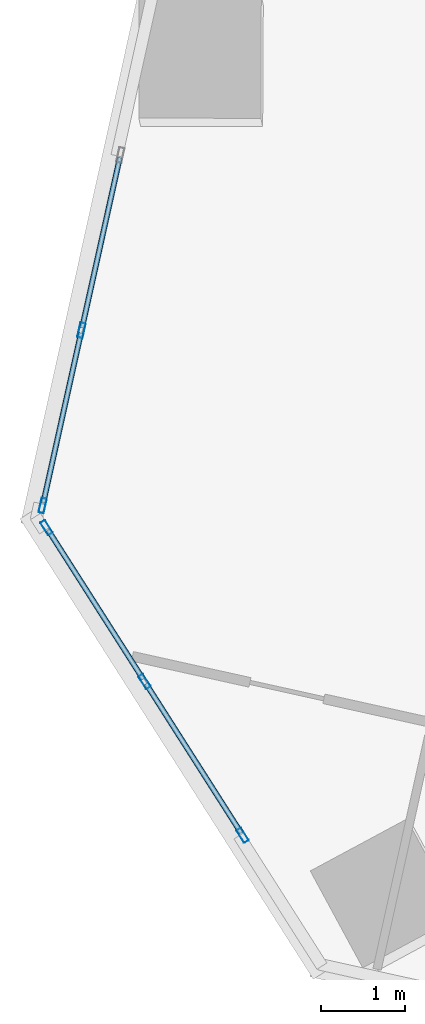
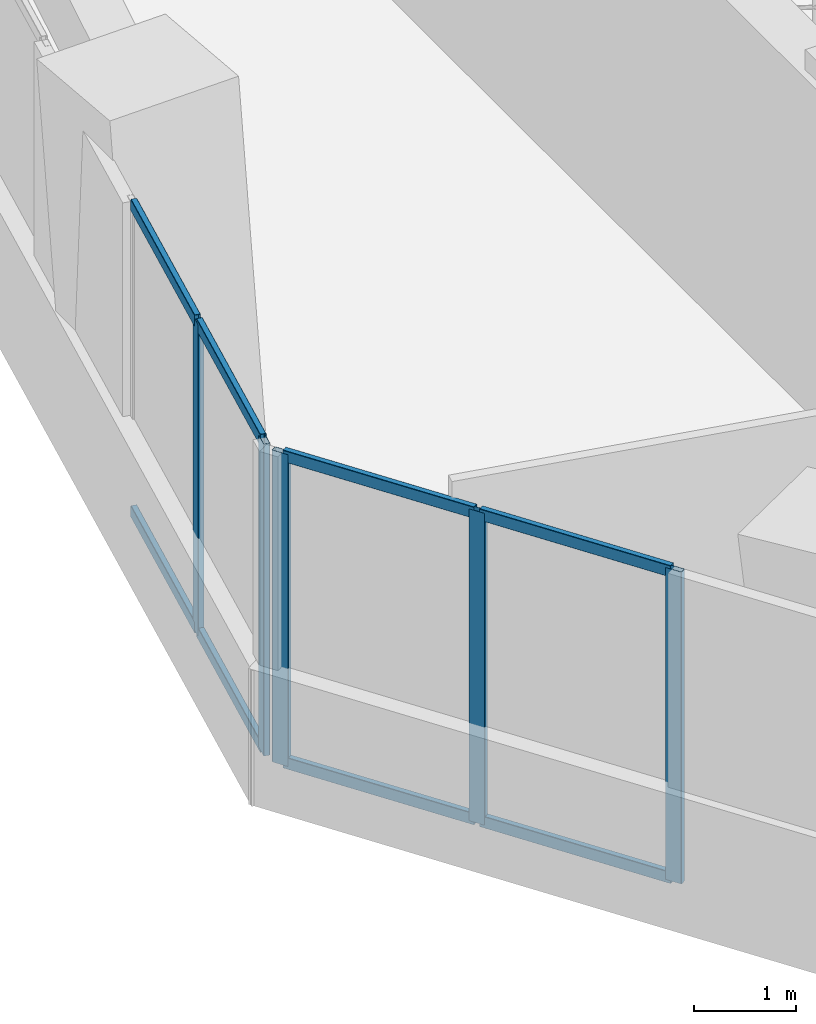
# One storey, part 3 of 25: 13 members, 2 elements without a shape of their own.
"""IFC4 building model written with IfcOpenShell, lengths in metres."""

from ifc_helpers import new_model, si_unit, direction, frame, origin, origin_2d, place, context, subcontext, project, spatial, hollow_rectangle, extrude, source, transform, mapped, material, material_profile, profile_set, type_object, element, aggregate, save


model = new_model("IFC4")

# Units and contexts
model_context = context("Model", 3, precision=1e-05, world=origin(), true_north=direction((0.0, 1.0)))
body_context = subcontext(model_context, "Body", "Model", "MODEL_VIEW")
ifc_project = project(units=[si_unit("LENGTHUNIT", "METRE"), si_unit("AREAUNIT", "SQUARE_METRE"), si_unit("VOLUMEUNIT", "CUBIC_METRE"), si_unit("PLANEANGLEUNIT", "RADIAN"), si_unit("MASSUNIT", "GRAM", prefix="KILO")], contexts=[model_context])

# Site, building, storey
site_placement = place(None, origin())
site = spatial("IfcSite", under=ifc_project, at=site_placement, CompositionType="ELEMENT")
building_placement = place(site_placement, origin())
building = spatial("IfcBuilding", under=site, at=building_placement, Name="Torre Montelarca", CompositionType="ELEMENT")
storey_placement = place(building_placement, frame((0.0, 0.0, 91.60009765625)))
storey = spatial("IfcBuildingStorey", under=building, at=storey_placement, Name="L20", CompositionType="ELEMENT", Elevation=91.60009765625)

# Curtain wall, members
ifc_material_1 = material(Name="Insulated low-E laminated glass", Category="glass")
curtain_wall_type = type_object("IfcCurtainWallType", Name="CW-SYS-Z1", PredefinedType="USERDEFINED", material=ifc_material_1)
curtain_wall_1_placement = place(storey_placement, origin())
curtain_wall_1 = element("IfcCurtainWall", 1, at=curtain_wall_1_placement, inside=storey, type_object=curtain_wall_type, Name="L20 Curtain Wall Run CW-T3-L20-E10-B3", ObjectType="UNITISED GLAZING", PredefinedType="USERDEFINED")
ifc_material_2 = material(Name="Anodised aluminium AA 6063-T6", Category="aluminium")
ifc_material_profile_1 = material_profile(ifc_material_2, hollow_rectangle(XDim=0.06494140625, YDim=0.139892578125, WallThickness=0.00390625, InnerFilletRadius=0.00390625, OuterFilletRadius=0.008056640625, at=origin_2d()), Name="ALU65X140X4", Category="aluminium")
ifc_profile_set_1 = profile_set([ifc_material_profile_1], Name="Anodised aluminium AA 6063-T6")
member_type_1 = type_object("IfcMemberType", Name="CWT-ALU140", PredefinedType="USERDEFINED", material=ifc_profile_set_1)
shared_shape_1 = source(origin(), body_context, "Body", "SweptSolid", [
    extrude(hollow_rectangle(XDim=0.06494140625, YDim=0.139892578125, WallThickness=0.00390625, InnerFilletRadius=0.00390625, OuterFilletRadius=0.008056640625, at=origin_2d()), origin(), (0.0, 0.0, 1.0), 2.067138671875),
])
member_1_placement = place(storey_placement, frame((2.340087890625, 26.75244140625, 0.032470703125), z_axis=(-0.216492740091, -0.976284227819, 0.0), x_axis=(0.976284227819, -0.216492740091, 0.0)))
member_1 = element("IfcMember", 2, at=member_1_placement, type_object=member_type_1, Name="CW transom 1.1", ObjectType="TRANSOM", PredefinedType="USERDEFINED", context=body_context, shape_type="MappedRepresentation", body=[
    mapped(shared_shape_1, transform((0.0, 0.0, 0.0), scale=1.0)),
])
member_2_placement = place(storey_placement, frame((2.340087890625, 26.75244140625, 3.6875), z_axis=(-0.216492740091, -0.976284227819, 0.0), x_axis=(0.976284227819, -0.216492740091, 0.0)))
member_2 = element("IfcMember", 3, at=member_2_placement, type_object=member_type_1, Name="CW transom 1.2", ObjectType="TRANSOM", PredefinedType="USERDEFINED", context=body_context, shape_type="MappedRepresentation", body=[
    mapped(shared_shape_1, transform((0.0, 0.0, 0.0), scale=1.0)),
])
member_3_placement = place(storey_placement, frame((1.878662109375, 24.6708984375, 0.032470703125), z_axis=(-0.216492740091, -0.976284227819, 0.0), x_axis=(0.976284227819, -0.216492740091, 0.0)))
member_3 = element("IfcMember", 4, at=member_3_placement, type_object=member_type_1, Name="CW transom 2.1", ObjectType="TRANSOM", PredefinedType="USERDEFINED", context=body_context, shape_type="MappedRepresentation", body=[
    mapped(shared_shape_1, transform((0.0, 0.0, 0.0), scale=1.0)),
])
member_4_placement = place(storey_placement, frame((1.878662109375, 24.6708984375, 3.6875), z_axis=(-0.216492740091, -0.976284227819, 0.0), x_axis=(0.976284227819, -0.216492740091, 0.0)))
member_4 = element("IfcMember", 5, at=member_4_placement, type_object=member_type_1, Name="CW transom 2.2", ObjectType="TRANSOM", PredefinedType="USERDEFINED", context=body_context, shape_type="MappedRepresentation", body=[
    mapped(shared_shape_1, transform((0.0, 0.0, 0.0), scale=1.0)),
])

curtain_wall_2_placement = place(storey_placement, origin())
curtain_wall_2 = element("IfcCurtainWall", 6, at=curtain_wall_2_placement, inside=storey, type_object=curtain_wall_type, Name="L20 Curtain Wall Run CW-T3-L20-E11-B1", ObjectType="UNITISED GLAZING", PredefinedType="USERDEFINED")
shared_shape_2 = source(origin(), body_context, "Body", "SweptSolid", [
    extrude(hollow_rectangle(XDim=0.06494140625, YDim=0.139892578125, WallThickness=0.00390625, InnerFilletRadius=0.00390625, OuterFilletRadius=0.008056640625, at=origin_2d()), origin(), (0.0, 0.0, 1.0), 2.10107421875),
])
member_5_placement = place(storey_placement, frame((1.488037109375, 22.330810546875, 0.032470703125), z_axis=(0.537311514436, -0.843383860679, 0.0), x_axis=(0.843383860679, 0.537311514436, 0.0)))
member_5 = element("IfcMember", 7, at=member_5_placement, type_object=member_type_1, Name="CW transom 1.1", ObjectType="TRANSOM", PredefinedType="USERDEFINED", context=body_context, shape_type="MappedRepresentation", body=[
    mapped(shared_shape_2, transform((0.0, 0.0, 0.0), scale=1.0)),
])
member_6_placement = place(storey_placement, frame((1.488037109375, 22.330810546875, 3.6875), z_axis=(0.537311514436, -0.843383860679, 0.0), x_axis=(0.843383860679, 0.537311514436, 0.0)))
member_6 = element("IfcMember", 8, at=member_6_placement, type_object=member_type_1, Name="CW transom 1.2", ObjectType="TRANSOM", PredefinedType="USERDEFINED", context=body_context, shape_type="MappedRepresentation", body=[
    mapped(shared_shape_2, transform((0.0, 0.0, 0.0), scale=1.0)),
])
member_7_placement = place(storey_placement, frame((2.65185546875, 20.504150390625, 0.032470703125), z_axis=(0.537311514436, -0.843383860679, 0.0), x_axis=(0.843383860679, 0.537311514436, 0.0)))
member_7 = element("IfcMember", 9, at=member_7_placement, type_object=member_type_1, Name="CW transom 2.1", ObjectType="TRANSOM", PredefinedType="USERDEFINED", context=body_context, shape_type="MappedRepresentation", body=[
    mapped(shared_shape_2, transform((0.0, 0.0, 0.0), scale=1.0)),
])
member_8_placement = place(storey_placement, frame((2.65185546875, 20.504150390625, 3.6875), z_axis=(0.537311514436, -0.843383860679, 0.0), x_axis=(0.843383860679, 0.537311514436, 0.0)))
member_8 = element("IfcMember", 10, at=member_8_placement, type_object=member_type_1, Name="CW transom 2.2", ObjectType="TRANSOM", PredefinedType="USERDEFINED", context=body_context, shape_type="MappedRepresentation", body=[
    mapped(shared_shape_2, transform((0.0, 0.0, 0.0), scale=1.0)),
])

# Member
ifc_material_profile_2 = material_profile(ifc_material_2, hollow_rectangle(XDim=0.06494140625, YDim=0.179931640625, WallThickness=0.00390625, InnerFilletRadius=0.00390625, OuterFilletRadius=0.008056640625, at=origin_2d()), Name="ALU65X180X4", Category="aluminium")
ifc_profile_set_2 = profile_set([ifc_material_profile_2], Name="Anodised aluminium AA 6063-T6")
member_type_2 = type_object("IfcMemberType", Name="CWM-ALU180", PredefinedType="MULLION", material=ifc_profile_set_2)
shared_shape_3 = source(origin(), body_context, "Body", "SweptSolid", [
    extrude(hollow_rectangle(XDim=0.06494140625, YDim=0.179931640625, WallThickness=0.00390625, InnerFilletRadius=0.00390625, OuterFilletRadius=0.008056640625, at=origin_2d()), origin(), (0.0, 0.0, 1.0), 3.719970703125),
])
member_9_placement = place(storey_placement, frame((1.8857421875, 24.70263671875, 0.0), z_axis=(0.0, 0.0, 1.0), x_axis=(0.976291841567, -0.216458402676, 0.0)))
member_9 = element("IfcMember", 11, at=member_9_placement, type_object=member_type_2, Name="CW mullion 2", PredefinedType="MULLION", context=body_context, shape_type="MappedRepresentation", body=[
    mapped(shared_shape_3, transform((0.0, 0.0, 0.0), scale=1.0)),
])

member_10_placement = place(storey_placement, frame((1.424072265625, 22.62109375, 0.0), z_axis=(0.0, 0.0, 1.0), x_axis=(0.976291841567, -0.216458402676, 0.0)))
member_10 = element("IfcMember", 12, at=member_10_placement, type_object=member_type_2, Name="CW mullion 3", PredefinedType="MULLION", context=body_context, shape_type="MappedRepresentation", body=[
    mapped(shared_shape_3, transform((0.0, 0.0, 0.0), scale=1.0)),
])

aggregate(curtain_wall_1, [member_9, member_10, member_1, member_2, member_3, member_4])

member_11_placement = place(storey_placement, frame((1.470458984375, 22.3583984375, 0.0), z_axis=(0.0, 0.0, 1.0), x_axis=(0.84338231009, 0.53731394829, 0.0)))
member_11 = element("IfcMember", 13, at=member_11_placement, type_object=member_type_2, Name="CW mullion 1", PredefinedType="MULLION", context=body_context, shape_type="MappedRepresentation", body=[
    mapped(shared_shape_3, transform((0.0, 0.0, 0.0), scale=1.0)),
])

member_12_placement = place(storey_placement, frame((2.63427734375, 20.531494140625, 0.0), z_axis=(0.0, 0.0, 1.0), x_axis=(0.84338231009, 0.53731394829, 0.0)))
member_12 = element("IfcMember", 14, at=member_12_placement, type_object=member_type_2, Name="CW mullion 2", PredefinedType="MULLION", context=body_context, shape_type="MappedRepresentation", body=[
    mapped(shared_shape_3, transform((0.0, 0.0, 0.0), scale=1.0)),
])

member_13_placement = place(storey_placement, frame((3.798095703125, 18.70458984375, 0.0), z_axis=(0.0, 0.0, 1.0), x_axis=(0.84338231009, 0.53731394829, 0.0)))
member_13 = element("IfcMember", 15, at=member_13_placement, type_object=member_type_2, Name="CW mullion 3", PredefinedType="MULLION", context=body_context, shape_type="MappedRepresentation", body=[
    mapped(shared_shape_3, transform((0.0, 0.0, 0.0), scale=1.0)),
])

aggregate(curtain_wall_2, [member_11, member_12, member_13, member_5, member_6, member_7, member_8])

save(model, "model.ifc")
